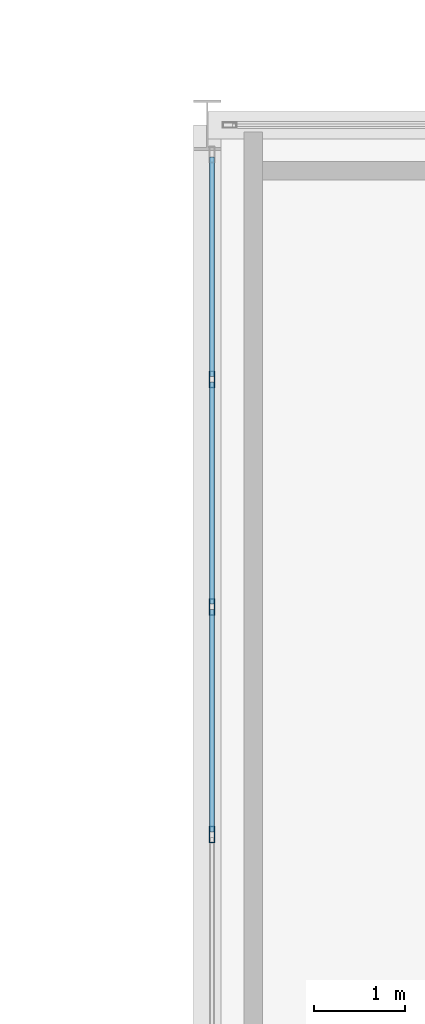
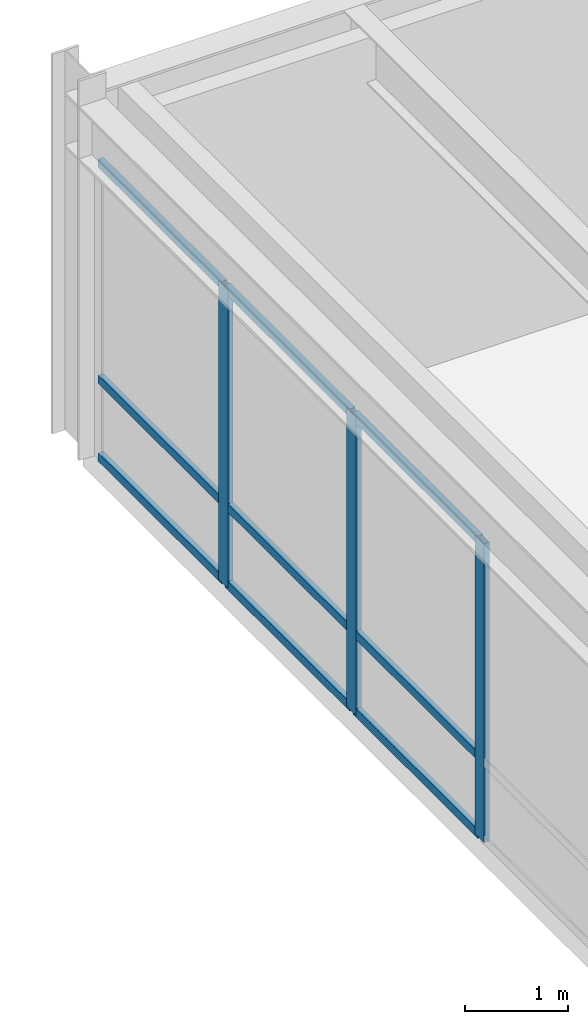
# One storey, part 77 of 142: 12 members, 1 element without a shape of its own.
"""IFC4 building model written with IfcOpenShell, lengths in metres."""

from ifc_helpers import new_model, si_unit, direction, frame, origin, origin_2d, place, context, subcontext, project, spatial, hollow_rectangle, extrude, material, layer, layer_set, material_profile, profile_set, type_object, element, aggregate, save


model = new_model("IFC4")

# Units and contexts
model_context = context("Model", 3, precision=1e-05, world=origin(), true_north=direction((0.0, 1.0)))
body_context = subcontext(model_context, "Body", "Model", "MODEL_VIEW")
ifc_project = project(units=[si_unit("LENGTHUNIT", "METRE"), si_unit("AREAUNIT", "SQUARE_METRE"), si_unit("VOLUMEUNIT", "CUBIC_METRE"), si_unit("PLANEANGLEUNIT", "RADIAN"), si_unit("MASSUNIT", "GRAM", prefix="KILO")], contexts=[model_context])

# Site, building, storey
site_placement = place(None, origin())
site = spatial("IfcSite", under=ifc_project, at=site_placement, CompositionType="ELEMENT")
building_placement = place(site_placement, origin())
building = spatial("IfcBuilding", under=site, at=building_placement, Name="Montelvaro Courts of Justice", CompositionType="ELEMENT")
storey_placement = place(building_placement, frame((0.0, 0.0, 14.39990234375)))
storey = spatial("IfcBuildingStorey", under=building, at=storey_placement, Name="L03", CompositionType="ELEMENT", Elevation=14.39990234375)

# Curtain wall, members
ifc_material = material(Name="Anodised aluminium EN AW-6063", Category="aluminium")
ifc_layer = layer(ifc_material, 0.159912109375)
ifc_layer_set = layer_set([ifc_layer], Name="Anodised aluminium EN AW-6063")
curtain_wall_type = type_object("IfcCurtainWallType", Name="CurtainWall_30_1742x418", PredefinedType="USERDEFINED", material=ifc_layer_set)
curtain_wall_placement = place(storey_placement, origin())
curtain_wall = element("IfcCurtainWall", 1, at=curtain_wall_placement, inside=storey, type_object=curtain_wall_type, Name="Curtain Wall CW-30 (L03)", ObjectType="CURTAIN WALL", PredefinedType="USERDEFINED")
ifc_material_profile_1 = material_profile(ifc_material, hollow_rectangle(XDim=0.06005859375, YDim=0.179931640625, WallThickness=0.00439453125, at=origin_2d()), Name="ALU-M 60x180")
ifc_profile_set_1 = profile_set([ifc_material_profile_1], Name="Anodised aluminium EN AW-6063")
member_type_1 = type_object("IfcMemberType", Name="CurtainWall_Mullion_60x180", PredefinedType="MULLION", material=ifc_profile_set_1)
member_1_placement = place(storey_placement, frame((99.050048828125, 93.221435546875, 0.0), z_axis=(0.0, 0.0, 1.0), x_axis=(1.0, 0.0, 0.0)))
member_1 = element("IfcMember", 2, at=member_1_placement, type_object=member_type_1, Name="CW-30 mullion 2", PredefinedType="MULLION", context=body_context, shape_type="SweptSolid", body=[
    extrude(hollow_rectangle(XDim=0.06005859375, YDim=0.179931640625, WallThickness=0.00439453125, at=origin_2d()), origin(), (0.0, 0.0, 1.0), 3.545166015625),
])
member_2_placement = place(storey_placement, frame((99.050048828125, 90.73291015625, 0.0), z_axis=(0.0, 0.0, 1.0), x_axis=(1.0, 0.0, 0.0)))
member_2 = element("IfcMember", 3, at=member_2_placement, type_object=member_type_1, Name="CW-30 mullion 3", PredefinedType="MULLION", context=body_context, shape_type="SweptSolid", body=[
    extrude(hollow_rectangle(XDim=0.06005859375, YDim=0.179931640625, WallThickness=0.00439453125, at=origin_2d()), origin(), (0.0, 0.0, 1.0), 3.545166015625),
])
member_3_placement = place(storey_placement, frame((99.050048828125, 88.244384765625, 0.0), z_axis=(0.0, 0.0, 1.0), x_axis=(1.0, 0.0, 0.0)))
member_3 = element("IfcMember", 4, at=member_3_placement, type_object=member_type_1, Name="CW-30 mullion 4", PredefinedType="MULLION", context=body_context, shape_type="SweptSolid", body=[
    extrude(hollow_rectangle(XDim=0.06005859375, YDim=0.179931640625, WallThickness=0.00439453125, at=origin_2d()), origin(), (0.0, 0.0, 1.0), 3.545166015625),
])
ifc_material_profile_2 = material_profile(ifc_material, hollow_rectangle(XDim=0.06005859375, YDim=0.10009765625, WallThickness=0.00341796875, at=origin_2d()), Name="ALU-T 60x100")
ifc_profile_set_2 = profile_set([ifc_material_profile_2], Name="Anodised aluminium EN AW-6063")
member_type_2 = type_object("IfcMemberType", Name="CurtainWall_Transom_60x100", PredefinedType="USERDEFINED", material=ifc_profile_set_2)
member_4_placement = place(storey_placement, frame((99.050048828125, 95.64990234375, 0.030029296875), z_axis=(0.0, -1.0, 0.0), x_axis=(1.0, 0.0, 0.0)))
member_4 = element("IfcMember", 5, at=member_4_placement, type_object=member_type_2, Name="CW-30 transom 1.1", ObjectType="TRANSOM", PredefinedType="USERDEFINED", context=body_context, shape_type="SweptSolid", body=[
    extrude(hollow_rectangle(XDim=0.06005859375, YDim=0.10009765625, WallThickness=0.00341796875, at=origin_2d()), origin(), (0.0, 0.0, 1.0), 2.3984375),
])
member_5_placement = place(storey_placement, frame((99.050048828125, 95.64990234375, 0.9501953125), z_axis=(0.0, -1.0, 0.0), x_axis=(1.0, 0.0, 0.0)))
member_5 = element("IfcMember", 6, at=member_5_placement, type_object=member_type_2, Name="CW-30 transom 1.2", ObjectType="TRANSOM", PredefinedType="USERDEFINED", context=body_context, shape_type="SweptSolid", body=[
    extrude(hollow_rectangle(XDim=0.06005859375, YDim=0.10009765625, WallThickness=0.00341796875, at=origin_2d()), origin(), (0.0, 0.0, 1.0), 2.3984375),
])
member_6_placement = place(storey_placement, frame((99.050048828125, 95.64990234375, 3.51513671875), z_axis=(0.0, -1.0, 0.0), x_axis=(1.0, 0.0, 0.0)))
member_6 = element("IfcMember", 7, at=member_6_placement, type_object=member_type_2, Name="CW-30 transom 1.3", ObjectType="TRANSOM", PredefinedType="USERDEFINED", context=body_context, shape_type="SweptSolid", body=[
    extrude(hollow_rectangle(XDim=0.06005859375, YDim=0.10009765625, WallThickness=0.00341796875, at=origin_2d()), origin(), (0.0, 0.0, 1.0), 2.3984375),
])
member_7_placement = place(storey_placement, frame((99.050048828125, 93.19140625, 0.030029296875), z_axis=(0.0, -1.0, 0.0), x_axis=(1.0, 0.0, 0.0)))
member_7 = element("IfcMember", 8, at=member_7_placement, type_object=member_type_2, Name="CW-30 transom 2.1", ObjectType="TRANSOM", PredefinedType="USERDEFINED", context=body_context, shape_type="SweptSolid", body=[
    extrude(hollow_rectangle(XDim=0.06005859375, YDim=0.10009765625, WallThickness=0.00341796875, at=origin_2d()), origin(), (0.0, 0.0, 1.0), 2.428466796875),
])
member_8_placement = place(storey_placement, frame((99.050048828125, 93.19140625, 0.9501953125), z_axis=(0.0, -1.0, 0.0), x_axis=(1.0, 0.0, 0.0)))
member_8 = element("IfcMember", 9, at=member_8_placement, type_object=member_type_2, Name="CW-30 transom 2.2", ObjectType="TRANSOM", PredefinedType="USERDEFINED", context=body_context, shape_type="SweptSolid", body=[
    extrude(hollow_rectangle(XDim=0.06005859375, YDim=0.10009765625, WallThickness=0.00341796875, at=origin_2d()), origin(), (0.0, 0.0, 1.0), 2.428466796875),
])
member_9_placement = place(storey_placement, frame((99.050048828125, 93.19140625, 3.51513671875), z_axis=(0.0, -1.0, 0.0), x_axis=(1.0, 0.0, 0.0)))
member_9 = element("IfcMember", 10, at=member_9_placement, type_object=member_type_2, Name="CW-30 transom 2.3", ObjectType="TRANSOM", PredefinedType="USERDEFINED", context=body_context, shape_type="SweptSolid", body=[
    extrude(hollow_rectangle(XDim=0.06005859375, YDim=0.10009765625, WallThickness=0.00341796875, at=origin_2d()), origin(), (0.0, 0.0, 1.0), 2.428466796875),
])
member_10_placement = place(storey_placement, frame((99.050048828125, 90.702880859375, 0.030029296875), z_axis=(0.0, -1.0, 0.0), x_axis=(1.0, 0.0, 0.0)))
member_10 = element("IfcMember", 11, at=member_10_placement, type_object=member_type_2, Name="CW-30 transom 3.1", ObjectType="TRANSOM", PredefinedType="USERDEFINED", context=body_context, shape_type="SweptSolid", body=[
    extrude(hollow_rectangle(XDim=0.06005859375, YDim=0.10009765625, WallThickness=0.00341796875, at=origin_2d()), origin(), (0.0, 0.0, 1.0), 2.4287109375),
])
member_11_placement = place(storey_placement, frame((99.050048828125, 90.702880859375, 0.9501953125), z_axis=(0.0, -1.0, 0.0), x_axis=(1.0, 0.0, 0.0)))
member_11 = element("IfcMember", 12, at=member_11_placement, type_object=member_type_2, Name="CW-30 transom 3.2", ObjectType="TRANSOM", PredefinedType="USERDEFINED", context=body_context, shape_type="SweptSolid", body=[
    extrude(hollow_rectangle(XDim=0.06005859375, YDim=0.10009765625, WallThickness=0.00341796875, at=origin_2d()), origin(), (0.0, 0.0, 1.0), 2.4287109375),
])
member_12_placement = place(storey_placement, frame((99.050048828125, 90.702880859375, 3.51513671875), z_axis=(0.0, -1.0, 0.0), x_axis=(1.0, 0.0, 0.0)))
member_12 = element("IfcMember", 13, at=member_12_placement, type_object=member_type_2, Name="CW-30 transom 3.3", ObjectType="TRANSOM", PredefinedType="USERDEFINED", context=body_context, shape_type="SweptSolid", body=[
    extrude(hollow_rectangle(XDim=0.06005859375, YDim=0.10009765625, WallThickness=0.00341796875, at=origin_2d()), origin(), (0.0, 0.0, 1.0), 2.4287109375),
])
aggregate(curtain_wall, [member_1, member_2, member_3, member_4, member_5, member_6, member_7, member_8, member_9, member_10, member_11, member_12])

save(model, "model.ifc")
